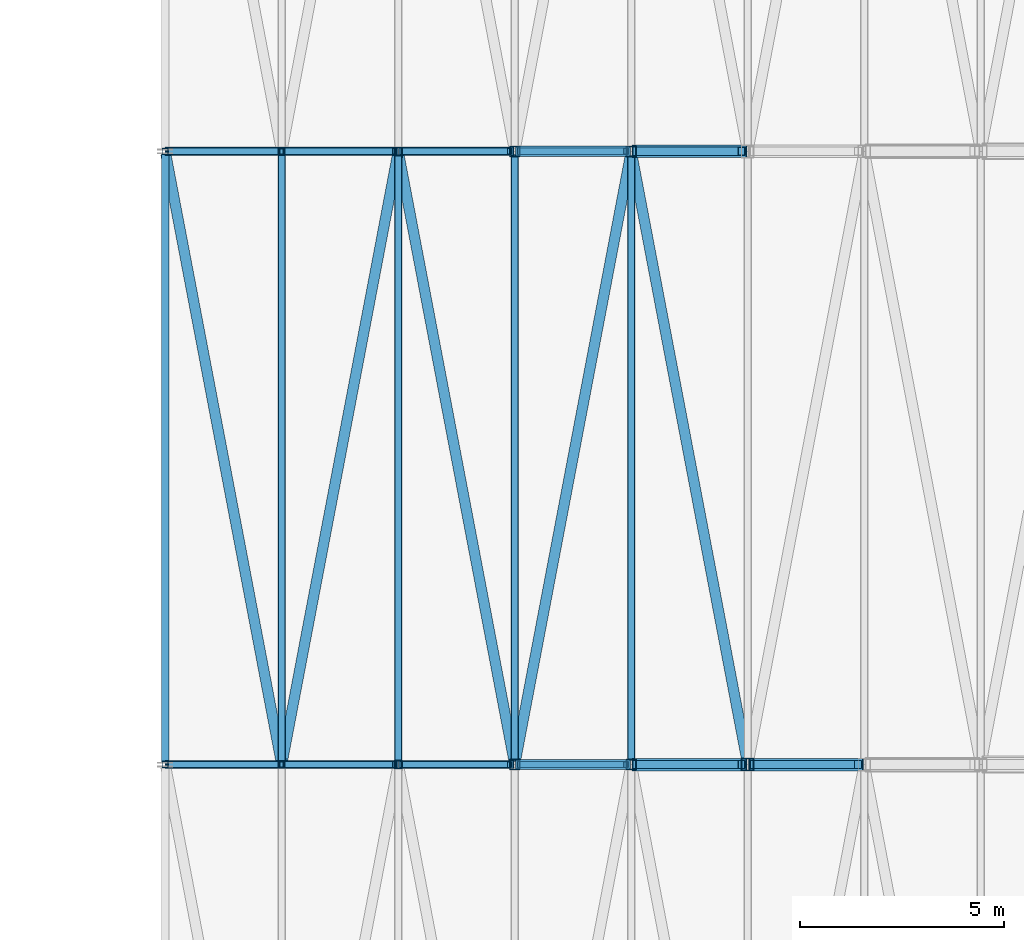
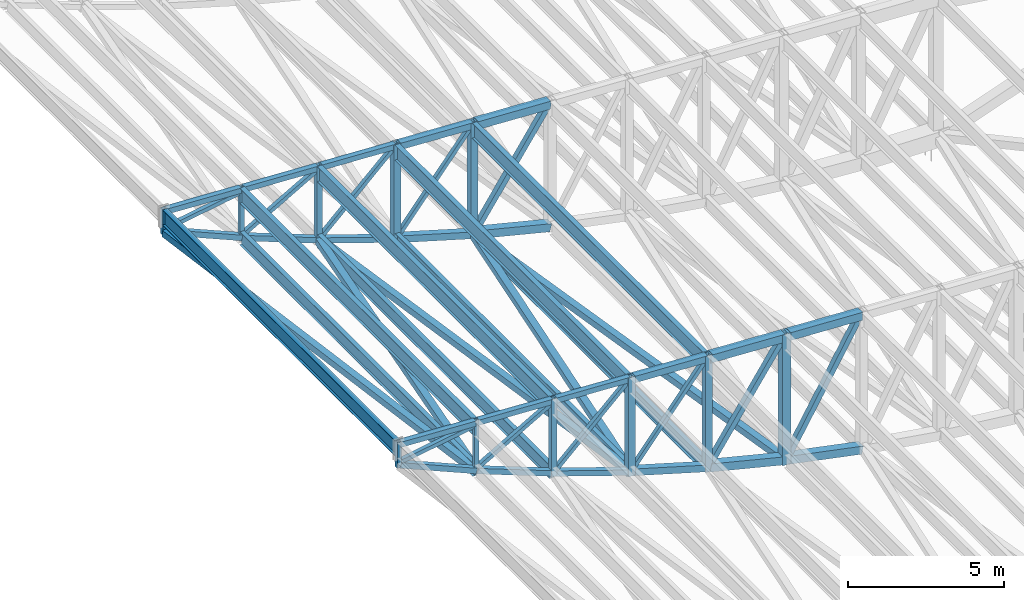
# One storey, part 57 of 278: 33 beams, 25 members.
"""IFC4 building model written with IfcOpenShell, lengths in metres."""

from ifc_helpers import new_model, si_unit, direction, frame, origin, origin_2d, place, context, subcontext, project, spatial, hollow_rectangle, i_section, extrude, material, material_profile, profile_set, type_object, element, save


model = new_model("IFC4")

# Units and contexts
model_context = context("Model", 3, precision=1e-05, world=origin(), true_north=direction((0.0, 1.0)))
body_context = subcontext(model_context, "Body", "Model", "MODEL_VIEW")
ifc_project = project(units=[si_unit("LENGTHUNIT", "METRE"), si_unit("AREAUNIT", "SQUARE_METRE"), si_unit("VOLUMEUNIT", "CUBIC_METRE"), si_unit("PLANEANGLEUNIT", "RADIAN"), si_unit("MASSUNIT", "GRAM", prefix="KILO")], contexts=[model_context])

# Site, building, storey
site_placement = place(None, origin())
site = spatial("IfcSite", under=ifc_project, at=site_placement, CompositionType="ELEMENT")
building_placement = place(site_placement, origin())
building = spatial("IfcBuilding", under=site, at=building_placement, Name="Ogive Plaza Stadium", CompositionType="ELEMENT")
storey_placement = place(building_placement, frame((0.0, 0.0, 29.0)))
storey = spatial("IfcBuildingStorey", under=building, at=storey_placement, Name="Roof", CompositionType="ELEMENT", Elevation=29.0)

# Members
ifc_material_1 = material(Name="Steel ASTM A500 Grade C", Category="steel")
ifc_material_profile_1 = material_profile(ifc_material_1, hollow_rectangle(XDim=0.25390625, YDim=0.25390625, WallThickness=0.0087890625, at=origin_2d()), Name="HSS10X10X3/8")
ifc_profile_set_1 = profile_set([ifc_material_profile_1], Name="Steel ASTM A500 Grade C")
member_type_1 = type_object("IfcMemberType", Name="Roof plan brace HSS10X10X3/8", PredefinedType="BRACE", material=ifc_profile_set_1)
member_1_placement = place(storey_placement, frame((45.513427734375, 7.4296875, 6.520751953125), z_axis=(0.1860644689, -0.979300227871, -0.079693645318), x_axis=(0.982424925297, 0.186658153196, 0.0)))
element("IfcMember", 1, at=member_1_placement, inside=storey, type_object=member_type_1, Name="ROOF BRACE B04 1", PredefinedType="BRACE", context=body_context, shape_type="SweptSolid", body=[
    extrude(hollow_rectangle(XDim=0.25390625, YDim=0.25390625, WallThickness=0.0087890625, at=origin_2d()), origin(), (0.0, 0.0, 1.0), 15.173583984375),
])
member_2_placement = place(storey_placement, frame((48.36328125, -7.4296875, 5.30078125), z_axis=(0.18619699352, 0.979917118172, -0.071366106221), x_axis=(-0.982422109195, 0.186672974385, 0.0)))
element("IfcMember", 2, at=member_2_placement, inside=storey, type_object=member_type_1, Name="ROOF BRACE B04 2", PredefinedType="BRACE", context=body_context, shape_type="SweptSolid", body=[
    extrude(hollow_rectangle(XDim=0.25390625, YDim=0.25390625, WallThickness=0.0087890625, at=origin_2d()), origin(), (0.0, 0.0, 1.0), 15.1376953125),
])
member_3_placement = place(storey_placement, frame((51.21826171875, 7.404052734375, 4.20751953125), z_axis=(0.186305134019, -0.980575459807, -0.061336487198), x_axis=(0.982425223956, 0.186656581279, 0.0)))
element("IfcMember", 3, at=member_3_placement, inside=storey, type_object=member_type_1, Name="ROOF BRACE B04 3", PredefinedType="BRACE", context=body_context, shape_type="SweptSolid", body=[
    extrude(hollow_rectangle(XDim=0.25390625, YDim=0.25390625, WallThickness=0.0087890625, at=origin_2d()), origin(), (0.0, 0.0, 1.0), 15.1015625),
])
member_4_placement = place(storey_placement, frame((54.068115234375, -7.404052734375, 3.27001953125), z_axis=(0.186406461707, 0.981044003163, -0.052965034622), x_axis=(-0.982422964001, 0.186668475654, 0.0)))
element("IfcMember", 4, at=member_4_placement, inside=storey, type_object=member_type_1, Name="ROOF BRACE B04 4", PredefinedType="BRACE", context=body_context, shape_type="SweptSolid", body=[
    extrude(hollow_rectangle(XDim=0.25390625, YDim=0.25390625, WallThickness=0.0087890625, at=origin_2d()), origin(), (0.0, 0.0, 1.0), 15.068359375),
])
member_5_placement = place(storey_placement, frame((56.923095703125, 7.378662109375, 2.459716796875), z_axis=(0.186461324063, -0.981373677857, -0.046237204039), x_axis=(0.982424391989, 0.186660960097, 0.0)))
element("IfcMember", 5, at=member_5_placement, inside=storey, type_object=member_type_1, Name="ROOF BRACE B04 5", PredefinedType="BRACE", context=body_context, shape_type="SweptSolid", body=[
    extrude(hollow_rectangle(XDim=0.25390625, YDim=0.25390625, WallThickness=0.0087890625, at=origin_2d()), origin(), (0.0, 0.0, 1.0), 15.011474609375),
])
ifc_material_2 = material(Name="Steel ASTM A992 Grade 50", Category="steel")
ifc_material_profile_2 = material_profile(ifc_material_2, i_section(OverallWidth=0.1650390625, OverallDepth=0.524658203125, WebThickness=0.0087890625, FlangeThickness=0.011474609375, at=origin_2d()), Name="W21X44")
ifc_profile_set_2 = profile_set([ifc_material_profile_2], Name="Steel ASTM A992 Grade 50")
member_type_2 = type_object("IfcMemberType", Name="Roof plan strut W21X44", PredefinedType="STRUT", material=ifc_profile_set_2)
member_6_placement = place(storey_placement, frame((48.35009765625, 7.453857421875, 5.305908203125), z_axis=(0.0, -1.0, 0.0), x_axis=(1.0, 0.0, 0.0)))
element("IfcMember", 6, at=member_6_placement, inside=storey, type_object=member_type_2, Name="ROOF STRUT B04 1", PredefinedType="STRUT", context=body_context, shape_type="SweptSolid", body=[
    extrude(i_section(OverallWidth=0.1650390625, OverallDepth=0.524658203125, WebThickness=0.0087890625, FlangeThickness=0.011474609375, at=origin_2d()), origin(), (0.0, 0.0, 1.0), 14.90771484375),
])
for number, where, z_axis, x_axis, name in (
    (7, (51.199951171875, 7.428466796875, 4.213623046875), (0.0, -1.0, 0.0), (1.0, 0.0, 0.0), "ROOF STRUT B04 2"),
    (8, (54.050048828125, 7.428466796875, 3.275146484375), (0.0, -1.0, 0.0), (1.0, 0.0, 0.0), "ROOF STRUT B04 3"),
):
    element("IfcMember", number, at=place(storey_placement, frame(where, z_axis=z_axis, x_axis=x_axis)), inside=storey, type_object=member_type_2, Name=name, PredefinedType="STRUT", context=body_context, shape_type="SweptSolid", body=[
        extrude(i_section(OverallWidth=0.1650390625, OverallDepth=0.524658203125, WebThickness=0.0087890625, FlangeThickness=0.011474609375, at=origin_2d()), origin(), (0.0, 0.0, 1.0), 14.85693359375),
    ])
member_7_placement = place(storey_placement, frame((56.89990234375, 7.403076171875, 2.46533203125), z_axis=(0.0, -1.0, 0.0), x_axis=(1.0, 0.0, 0.0)))
element("IfcMember", 9, at=member_7_placement, inside=storey, type_object=member_type_2, Name="ROOF STRUT B04 4", PredefinedType="STRUT", context=body_context, shape_type="SweptSolid", body=[
    extrude(i_section(OverallWidth=0.1650390625, OverallDepth=0.524658203125, WebThickness=0.0087890625, FlangeThickness=0.011474609375, at=origin_2d()), origin(), (0.0, 0.0, 1.0), 14.80615234375),
])
ifc_material_3 = material(Name="Steel ASTM A992 Grade 50", Category="steel")
ifc_material_profile_3 = material_profile(ifc_material_3, i_section(OverallWidth=0.177978515625, OverallDepth=0.5986328125, WebThickness=0.010009765625, FlangeThickness=0.012939453125, at=origin_2d()), Name="W24X55")
ifc_profile_set_3 = profile_set([ifc_material_profile_3], Name="Steel ASTM A992 Grade 50")
member_type_3 = type_object("IfcMemberType", Name="Roof purlin W24X55", PredefinedType="PURLIN", material=ifc_profile_set_3)
member_8_placement = place(storey_placement, frame((48.35009765625, 7.453857421875, 6.983154296875), z_axis=(0.0, -1.0, 0.0), x_axis=(1.0, 0.0, 0.0)))
element("IfcMember", 10, at=member_8_placement, inside=storey, type_object=member_type_3, Name="ROOF PURLIN B04 1", PredefinedType="PURLIN", context=body_context, shape_type="SweptSolid", body=[
    extrude(i_section(OverallWidth=0.177978515625, OverallDepth=0.5986328125, WebThickness=0.010009765625, FlangeThickness=0.012939453125, at=origin_2d()), origin(), (0.0, 0.0, 1.0), 14.90771484375),
])
for number, where, z_axis, x_axis, name in (
    (11, (51.199951171875, 7.428466796875, 6.840576171875), (0.0, -1.0, 0.0), (1.0, 0.0, 0.0), "ROOF PURLIN B04 2"),
    (12, (54.050048828125, 7.428466796875, 6.6982421875), (0.0, -1.0, 0.0), (1.0, 0.0, 0.0), "ROOF PURLIN B04 3"),
):
    element("IfcMember", number, at=place(storey_placement, frame(where, z_axis=z_axis, x_axis=x_axis)), inside=storey, type_object=member_type_3, Name=name, PredefinedType="PURLIN", context=body_context, shape_type="SweptSolid", body=[
        extrude(i_section(OverallWidth=0.177978515625, OverallDepth=0.5986328125, WebThickness=0.010009765625, FlangeThickness=0.012939453125, at=origin_2d()), origin(), (0.0, 0.0, 1.0), 14.85693359375),
    ])
member_9_placement = place(storey_placement, frame((56.89990234375, 7.403076171875, 6.5556640625), z_axis=(0.0, -1.0, 0.0), x_axis=(1.0, 0.0, 0.0)))
element("IfcMember", 13, at=member_9_placement, inside=storey, type_object=member_type_3, Name="ROOF PURLIN B04 4", PredefinedType="PURLIN", context=body_context, shape_type="SweptSolid", body=[
    extrude(i_section(OverallWidth=0.177978515625, OverallDepth=0.5986328125, WebThickness=0.010009765625, FlangeThickness=0.012939453125, at=origin_2d()), origin(), (0.0, 0.0, 1.0), 14.80615234375),
])
ifc_material_4 = material(Name="Steel ASTM A992 Grade 50", Category="steel")
ifc_material_profile_4 = material_profile(ifc_material_4, i_section(OverallWidth=0.177978515625, OverallDepth=0.5986328125, WebThickness=0.010009765625, FlangeThickness=0.012939453125, at=origin_2d()), Name="W24X55")
ifc_profile_set_4 = profile_set([ifc_material_profile_4], Name="Steel ASTM A992 Grade 50")
member_type_4 = type_object("IfcMemberType", Name="Roof tip ring beam W24X55", PredefinedType="MEMBER", material=ifc_profile_set_4)
member_10_placement = place(storey_placement, frame((45.5, 7.453857421875, 7.125732421875), z_axis=(0.0, -1.0, 0.0), x_axis=(1.0, 0.0, 0.0)))
element("IfcMember", 14, at=member_10_placement, inside=storey, type_object=member_type_4, Name="RING BEAM B04", PredefinedType="MEMBER", context=body_context, shape_type="SweptSolid", body=[
    extrude(i_section(OverallWidth=0.177978515625, OverallDepth=0.5986328125, WebThickness=0.010009765625, FlangeThickness=0.012939453125, at=origin_2d()), origin(), (0.0, 0.0, 1.0), 14.90771484375),
])

# Beams
ifc_material_5 = material(Name="Steel ASTM A500 Grade C", Category="steel")
ifc_material_profile_5 = material_profile(ifc_material_5, hollow_rectangle(XDim=0.25390625, YDim=0.25390625, WallThickness=0.01171875, at=origin_2d()), Name="HSS10X10X1/2")
ifc_profile_set_5 = profile_set([ifc_material_profile_5], Name="Steel ASTM A500 Grade C")
beam_type_1 = type_object("IfcBeamType", Name="Roof truss bottom chord HSS10X10X1/2", PredefinedType="BEAM", material=ifc_profile_set_5)
for number, where, z_axis, x_axis, name in (
    (15, (54.10009765625, 7.5, 3.265869140625), (0.959640437259, 0.0, -0.281229854705), (0.0, 1.0, 0.0), "ROOF TRUSS T04 BOTTOM CHORD 4"),
    (16, (54.10009765625, -7.5, 3.265869140625), (0.959640437259, 0.0, -0.281229854705), (0.0, 1.0, 0.0), "ROOF TRUSS T05 BOTTOM CHORD 4"),
):
    element("IfcBeam", number, at=place(storey_placement, frame(where, z_axis=z_axis, x_axis=x_axis)), inside=storey, type_object=beam_type_1, Name=name, PredefinedType="BEAM", context=body_context, shape_type="SweptSolid", body=[
        extrude(hollow_rectangle(XDim=0.25390625, YDim=0.25390625, WallThickness=0.01171875, at=origin_2d()), origin(), (0.0, 0.0, 1.0), 2.86572265625),
    ])
ifc_material_6 = material(Name="Steel ASTM A500 Grade C", Category="steel")
ifc_material_profile_6 = material_profile(ifc_material_6, hollow_rectangle(XDim=0.3046875, YDim=0.3046875, WallThickness=0.0146484375, at=origin_2d()), Name="HSS12X12X5/8")
ifc_profile_set_6 = profile_set([ifc_material_profile_6], Name="Steel ASTM A500 Grade C")
beam_type_2 = type_object("IfcBeamType", Name="Roof truss bottom chord HSS12X12X5/8", PredefinedType="BEAM", material=ifc_profile_set_6)
for number, where, z_axis, x_axis, name in (
    (17, (56.949951171875, 7.5, 2.45751953125), (0.970607032995, 0.0, -0.240669872439), (0.0, 1.0, 0.0), "ROOF TRUSS T04 BOTTOM CHORD 5"),
    (18, (56.949951171875, -7.5, 2.45751953125), (0.970607032995, 0.0, -0.240669872439), (0.0, 1.0, 0.0), "ROOF TRUSS T05 BOTTOM CHORD 5"),
):
    element("IfcBeam", number, at=place(storey_placement, frame(where, z_axis=z_axis, x_axis=x_axis)), inside=storey, type_object=beam_type_2, Name=name, PredefinedType="BEAM", context=body_context, shape_type="SweptSolid", body=[
        extrude(hollow_rectangle(XDim=0.3046875, YDim=0.3046875, WallThickness=0.0146484375, at=origin_2d()), origin(), (0.0, 0.0, 1.0), 2.833251953125),
    ])
beam_1_placement = place(storey_placement, frame((59.800048828125, -7.5, 1.751708984375), z_axis=(0.980021250437, 0.0, -0.19889280704), x_axis=(0.0, 1.0, 0.0)))
element("IfcBeam", 19, at=beam_1_placement, inside=storey, type_object=beam_type_2, Name="ROOF TRUSS T05 BOTTOM CHORD 6", PredefinedType="BEAM", context=body_context, shape_type="SweptSolid", body=[
    extrude(hollow_rectangle(XDim=0.3046875, YDim=0.3046875, WallThickness=0.0146484375, at=origin_2d()), origin(), (0.0, 0.0, 1.0), 2.80615234375),
])
ifc_material_7 = material(Name="Steel ASTM A500 Grade C", Category="steel")
ifc_material_profile_7 = material_profile(ifc_material_7, hollow_rectangle(XDim=0.203125, YDim=0.203125, WallThickness=0.01171875, at=origin_2d()), Name="HSS8X8X1/2")
ifc_profile_set_7 = profile_set([ifc_material_profile_7], Name="Steel ASTM A500 Grade C")
beam_type_3 = type_object("IfcBeamType", Name="Roof truss bottom chord HSS8X8X1/2", PredefinedType="BEAM", material=ifc_profile_set_7)
beam_2_placement = place(storey_placement, frame((45.5400390625, 7.5, 6.518310546875), z_axis=(0.919215459426, 0.0, -0.393754922702), x_axis=(0.0, 1.0, 0.0)))
element("IfcBeam", 20, at=beam_2_placement, inside=storey, type_object=beam_type_3, Name="ROOF TRUSS T04 BOTTOM CHORD 1", PredefinedType="BEAM", context=body_context, shape_type="SweptSolid", body=[
    extrude(hollow_rectangle(XDim=0.203125, YDim=0.203125, WallThickness=0.01171875, at=origin_2d()), origin(), (0.0, 0.0, 1.0), 3.04736328125),
])
beam_3_placement = place(storey_placement, frame((48.386474609375, 7.5, 5.299072265625), z_axis=(0.933780874892, 0.0, -0.357845326484), x_axis=(0.0, 1.0, 0.0)))
element("IfcBeam", 21, at=beam_3_placement, inside=storey, type_object=beam_type_3, Name="ROOF TRUSS T04 BOTTOM CHORD 2", PredefinedType="BEAM", context=body_context, shape_type="SweptSolid", body=[
    extrude(hollow_rectangle(XDim=0.203125, YDim=0.203125, WallThickness=0.01171875, at=origin_2d()), origin(), (0.0, 0.0, 1.0), 2.97314453125),
])
beam_4_placement = place(storey_placement, frame((51.24072265625, 7.5, 4.20556640625), z_axis=(0.947299736415, 0.0, -0.320348574817), x_axis=(0.0, 1.0, 0.0)))
element("IfcBeam", 22, at=beam_4_placement, inside=storey, type_object=beam_type_3, Name="ROOF TRUSS T04 BOTTOM CHORD 3", PredefinedType="BEAM", context=body_context, shape_type="SweptSolid", body=[
    extrude(hollow_rectangle(XDim=0.203125, YDim=0.203125, WallThickness=0.01171875, at=origin_2d()), origin(), (0.0, 0.0, 1.0), 2.912841796875),
])
beam_5_placement = place(storey_placement, frame((45.5400390625, -7.5, 6.518310546875), z_axis=(0.919215459426, 0.0, -0.393754922702), x_axis=(0.0, 1.0, 0.0)))
element("IfcBeam", 23, at=beam_5_placement, inside=storey, type_object=beam_type_3, Name="ROOF TRUSS T05 BOTTOM CHORD 1", PredefinedType="BEAM", context=body_context, shape_type="SweptSolid", body=[
    extrude(hollow_rectangle(XDim=0.203125, YDim=0.203125, WallThickness=0.01171875, at=origin_2d()), origin(), (0.0, 0.0, 1.0), 3.04736328125),
])
beam_6_placement = place(storey_placement, frame((48.386474609375, -7.5, 5.299072265625), z_axis=(0.933780874892, 0.0, -0.357845326484), x_axis=(0.0, 1.0, 0.0)))
element("IfcBeam", 24, at=beam_6_placement, inside=storey, type_object=beam_type_3, Name="ROOF TRUSS T05 BOTTOM CHORD 2", PredefinedType="BEAM", context=body_context, shape_type="SweptSolid", body=[
    extrude(hollow_rectangle(XDim=0.203125, YDim=0.203125, WallThickness=0.01171875, at=origin_2d()), origin(), (0.0, 0.0, 1.0), 2.97314453125),
])
beam_7_placement = place(storey_placement, frame((51.24072265625, -7.5, 4.20556640625), z_axis=(0.947299736415, 0.0, -0.320348574817), x_axis=(0.0, 1.0, 0.0)))
element("IfcBeam", 25, at=beam_7_placement, inside=storey, type_object=beam_type_3, Name="ROOF TRUSS T05 BOTTOM CHORD 3", PredefinedType="BEAM", context=body_context, shape_type="SweptSolid", body=[
    extrude(hollow_rectangle(XDim=0.203125, YDim=0.203125, WallThickness=0.01171875, at=origin_2d()), origin(), (0.0, 0.0, 1.0), 2.912841796875),
])

# Members
ifc_material_8 = material(Name="Steel ASTM A500 Grade C", Category="steel")
ifc_material_profile_8 = material_profile(ifc_material_8, hollow_rectangle(XDim=0.15234375, YDim=0.15234375, WallThickness=0.005859375, at=origin_2d()), Name="HSS6X6X1/4")
ifc_profile_set_8 = profile_set([ifc_material_profile_8], Name="Steel ASTM A500 Grade C")
member_type_5 = type_object("IfcMemberType", Name="Roof truss diagonal HSS6X6X1/4", PredefinedType="BRACE", material=ifc_profile_set_8)
member_11_placement = place(storey_placement, frame((45.576171875, 7.5, 6.628173828125), z_axis=(0.986299671123, 0.0, 0.164963507307), x_axis=(0.0, 1.0, 0.0)))
element("IfcMember", 26, at=member_11_placement, inside=storey, type_object=member_type_5, Name="ROOF TRUSS T04 DIAGONAL 1", PredefinedType="BRACE", context=body_context, shape_type="SweptSolid", body=[
    extrude(hollow_rectangle(XDim=0.15234375, YDim=0.15234375, WallThickness=0.005859375, at=origin_2d()), origin(), (0.0, 0.0, 1.0), 2.73486328125),
])
member_12_placement = place(storey_placement, frame((48.42626953125, 7.5, 5.407470703125), z_axis=(0.8679111184, 0.0, 0.496719529069), x_axis=(0.0, 1.0, 0.0)))
element("IfcMember", 27, at=member_12_placement, inside=storey, type_object=member_type_5, Name="ROOF TRUSS T04 DIAGONAL 2", PredefinedType="BRACE", context=body_context, shape_type="SweptSolid", body=[
    extrude(hollow_rectangle(XDim=0.15234375, YDim=0.15234375, WallThickness=0.005859375, at=origin_2d()), origin(), (0.0, 0.0, 1.0), 3.078857421875),
])
member_13_placement = place(storey_placement, frame((45.576171875, -7.5, 6.628173828125), z_axis=(0.986299671123, 0.0, 0.164963507307), x_axis=(0.0, 1.0, 0.0)))
element("IfcMember", 28, at=member_13_placement, inside=storey, type_object=member_type_5, Name="ROOF TRUSS T05 DIAGONAL 1", PredefinedType="BRACE", context=body_context, shape_type="SweptSolid", body=[
    extrude(hollow_rectangle(XDim=0.15234375, YDim=0.15234375, WallThickness=0.005859375, at=origin_2d()), origin(), (0.0, 0.0, 1.0), 2.73486328125),
])
member_14_placement = place(storey_placement, frame((48.42626953125, -7.5, 5.407470703125), z_axis=(0.8679111184, 0.0, 0.496719529069), x_axis=(0.0, 1.0, 0.0)))
element("IfcMember", 29, at=member_14_placement, inside=storey, type_object=member_type_5, Name="ROOF TRUSS T05 DIAGONAL 2", PredefinedType="BRACE", context=body_context, shape_type="SweptSolid", body=[
    extrude(hollow_rectangle(XDim=0.15234375, YDim=0.15234375, WallThickness=0.005859375, at=origin_2d()), origin(), (0.0, 0.0, 1.0), 3.078857421875),
])
ifc_material_9 = material(Name="Steel ASTM A500 Grade C", Category="steel")
ifc_material_profile_9 = material_profile(ifc_material_9, hollow_rectangle(XDim=0.15234375, YDim=0.15234375, WallThickness=0.0087890625, at=origin_2d()), Name="HSS6X6X3/8")
ifc_profile_set_9 = profile_set([ifc_material_profile_9], Name="Steel ASTM A500 Grade C")
member_type_6 = type_object("IfcMemberType", Name="Roof truss diagonal HSS6X6X3/8", PredefinedType="BRACE", material=ifc_profile_set_9)
member_15_placement = place(storey_placement, frame((51.301513671875, 7.5, 4.315185546875), z_axis=(0.726588919749, 0.0, 0.687072442832), x_axis=(0.0, 1.0, 0.0)))
element("IfcMember", 30, at=member_15_placement, inside=storey, type_object=member_type_6, Name="ROOF TRUSS T04 DIAGONAL 3", PredefinedType="BRACE", context=body_context, shape_type="SweptSolid", body=[
    extrude(hollow_rectangle(XDim=0.15234375, YDim=0.15234375, WallThickness=0.0087890625, at=origin_2d()), origin(), (0.0, 0.0, 1.0), 3.608154296875),
])
member_16_placement = place(storey_placement, frame((54.177001953125, 7.5, 3.40234375), z_axis=(0.630150764463, 0.0, 0.77647280316), x_axis=(0.0, 1.0, 0.0)))
element("IfcMember", 31, at=member_16_placement, inside=storey, type_object=member_type_6, Name="ROOF TRUSS T04 DIAGONAL 4", PredefinedType="BRACE", context=body_context, shape_type="SweptSolid", body=[
    extrude(hollow_rectangle(XDim=0.15234375, YDim=0.15234375, WallThickness=0.0087890625, at=origin_2d()), origin(), (0.0, 0.0, 1.0), 4.11962890625),
])
member_17_placement = place(storey_placement, frame((51.301513671875, -7.5, 4.315185546875), z_axis=(0.726588919749, 0.0, 0.687072442832), x_axis=(0.0, 1.0, 0.0)))
element("IfcMember", 32, at=member_17_placement, inside=storey, type_object=member_type_6, Name="ROOF TRUSS T05 DIAGONAL 3", PredefinedType="BRACE", context=body_context, shape_type="SweptSolid", body=[
    extrude(hollow_rectangle(XDim=0.15234375, YDim=0.15234375, WallThickness=0.0087890625, at=origin_2d()), origin(), (0.0, 0.0, 1.0), 3.608154296875),
])
member_18_placement = place(storey_placement, frame((54.177001953125, -7.5, 3.40234375), z_axis=(0.630150764463, 0.0, 0.77647280316), x_axis=(0.0, 1.0, 0.0)))
element("IfcMember", 33, at=member_18_placement, inside=storey, type_object=member_type_6, Name="ROOF TRUSS T05 DIAGONAL 4", PredefinedType="BRACE", context=body_context, shape_type="SweptSolid", body=[
    extrude(hollow_rectangle(XDim=0.15234375, YDim=0.15234375, WallThickness=0.0087890625, at=origin_2d()), origin(), (0.0, 0.0, 1.0), 4.11962890625),
])
ifc_material_10 = material(Name="Steel ASTM A500 Grade C", Category="steel")
ifc_material_profile_10 = material_profile(ifc_material_10, hollow_rectangle(XDim=0.203125, YDim=0.203125, WallThickness=0.0087890625, at=origin_2d()), Name="HSS8X8X3/8")
ifc_profile_set_10 = profile_set([ifc_material_profile_10], Name="Steel ASTM A500 Grade C")
member_type_7 = type_object("IfcMemberType", Name="Roof truss diagonal HSS8X8X3/8", PredefinedType="BRACE", material=ifc_profile_set_10)
for number, where, z_axis, x_axis, name in (
    (34, (57.027099609375, 7.5, 2.617919921875), (0.561338440243, 0.0, 0.827586343233), (0.0, 1.0, 0.0), "ROOF TRUSS T04 DIAGONAL 5"),
    (35, (57.027099609375, -7.5, 2.617919921875), (0.561338440243, 0.0, 0.827586343233), (0.0, 1.0, 0.0), "ROOF TRUSS T05 DIAGONAL 5"),
):
    element("IfcMember", number, at=place(storey_placement, frame(where, z_axis=z_axis, x_axis=x_axis)), inside=storey, type_object=member_type_7, Name=name, PredefinedType="BRACE", context=body_context, shape_type="SweptSolid", body=[
        extrude(hollow_rectangle(XDim=0.203125, YDim=0.203125, WallThickness=0.0087890625, at=origin_2d()), origin(), (0.0, 0.0, 1.0), 4.579345703125),
    ])
member_19_placement = place(storey_placement, frame((59.90234375, -7.5, 1.9111328125), z_axis=(0.504659398762, 0.0, 0.863318534054), x_axis=(0.0, 1.0, 0.0)))
element("IfcMember", 36, at=member_19_placement, inside=storey, type_object=member_type_7, Name="ROOF TRUSS T05 DIAGONAL 6", PredefinedType="BRACE", context=body_context, shape_type="SweptSolid", body=[
    extrude(hollow_rectangle(XDim=0.203125, YDim=0.203125, WallThickness=0.0087890625, at=origin_2d()), origin(), (0.0, 0.0, 1.0), 5.043212890625),
])

# Beams
ifc_material_11 = material(Name="Steel ASTM A500 Grade C", Category="steel")
ifc_material_profile_11 = material_profile(ifc_material_11, hollow_rectangle(XDim=0.25390625, YDim=0.25390625, WallThickness=0.01171875, at=origin_2d()), Name="HSS10X10X1/2")
ifc_profile_set_11 = profile_set([ifc_material_profile_11], Name="Steel ASTM A500 Grade C")
beam_type_4 = type_object("IfcBeamType", Name="Roof truss post HSS10X10X1/2", PredefinedType="BEAM", material=ifc_profile_set_11)
beam_8_placement = place(storey_placement, frame((54.050048828125, 7.5, 3.148193359375), z_axis=(0.0, 0.0, 1.0), x_axis=(0.0, 1.0, 0.0)))
element("IfcBeam", 37, at=beam_8_placement, inside=storey, type_object=beam_type_4, Name="ROOF TRUSS T04 POST 4", PredefinedType="BEAM", context=body_context, shape_type="SweptSolid", body=[
    extrude(hollow_rectangle(XDim=0.25390625, YDim=0.25390625, WallThickness=0.01171875, at=origin_2d()), origin(), (0.0, 0.0, 1.0), 3.849365234375),
])
beam_9_placement = place(storey_placement, frame((56.89990234375, 7.5, 2.31298828125), z_axis=(0.0, 0.0, 1.0), x_axis=(0.0, 1.0, 0.0)))
element("IfcBeam", 38, at=beam_9_placement, inside=storey, type_object=beam_type_4, Name="ROOF TRUSS T04 POST 5", PredefinedType="BEAM", context=body_context, shape_type="SweptSolid", body=[
    extrude(hollow_rectangle(XDim=0.25390625, YDim=0.25390625, WallThickness=0.01171875, at=origin_2d()), origin(), (0.0, 0.0, 1.0), 4.5419921875),
])
beam_10_placement = place(storey_placement, frame((54.050048828125, -7.5, 3.148193359375), z_axis=(0.0, 0.0, 1.0), x_axis=(0.0, 1.0, 0.0)))
element("IfcBeam", 39, at=beam_10_placement, inside=storey, type_object=beam_type_4, Name="ROOF TRUSS T05 POST 4", PredefinedType="BEAM", context=body_context, shape_type="SweptSolid", body=[
    extrude(hollow_rectangle(XDim=0.25390625, YDim=0.25390625, WallThickness=0.01171875, at=origin_2d()), origin(), (0.0, 0.0, 1.0), 3.849365234375),
])
beam_11_placement = place(storey_placement, frame((56.89990234375, -7.5, 2.31298828125), z_axis=(0.0, 0.0, 1.0), x_axis=(0.0, 1.0, 0.0)))
element("IfcBeam", 40, at=beam_11_placement, inside=storey, type_object=beam_type_4, Name="ROOF TRUSS T05 POST 5", PredefinedType="BEAM", context=body_context, shape_type="SweptSolid", body=[
    extrude(hollow_rectangle(XDim=0.25390625, YDim=0.25390625, WallThickness=0.01171875, at=origin_2d()), origin(), (0.0, 0.0, 1.0), 4.5419921875),
])
ifc_material_12 = material(Name="Steel ASTM A500 Grade C", Category="steel")
ifc_material_profile_12 = material_profile(ifc_material_12, hollow_rectangle(XDim=0.3046875, YDim=0.3046875, WallThickness=0.01171875, at=origin_2d()), Name="HSS12X12X1/2")
ifc_profile_set_12 = profile_set([ifc_material_profile_12], Name="Steel ASTM A500 Grade C")
beam_type_5 = type_object("IfcBeamType", Name="Roof truss post HSS12X12X1/2", PredefinedType="BEAM", material=ifc_profile_set_12)
beam_12_placement = place(storey_placement, frame((59.75, -7.5, 1.606201171875), z_axis=(0.0, 0.0, 1.0), x_axis=(0.0, 1.0, 0.0)))
element("IfcBeam", 41, at=beam_12_placement, inside=storey, type_object=beam_type_5, Name="ROOF TRUSS T05 POST 6", PredefinedType="BEAM", context=body_context, shape_type="SweptSolid", body=[
    extrude(hollow_rectangle(XDim=0.3046875, YDim=0.3046875, WallThickness=0.01171875, at=origin_2d()), origin(), (0.0, 0.0, 1.0), 5.106201171875),
])
ifc_material_13 = material(Name="Steel ASTM A500 Grade C", Category="steel")
ifc_material_profile_13 = material_profile(ifc_material_13, hollow_rectangle(XDim=0.15234375, YDim=0.15234375, WallThickness=0.0087890625, at=origin_2d()), Name="HSS6X6X3/8")
ifc_profile_set_13 = profile_set([ifc_material_profile_13], Name="Steel ASTM A500 Grade C")
beam_type_6 = type_object("IfcBeamType", Name="Roof truss post HSS6X6X3/8", PredefinedType="BEAM", material=ifc_profile_set_13)
beam_13_placement = place(storey_placement, frame((45.5, 7.5, 6.425048828125), z_axis=(0.0, 0.0, 1.0), x_axis=(0.0, 1.0, 0.0)))
element("IfcBeam", 42, at=beam_13_placement, inside=storey, type_object=beam_type_6, Name="ROOF TRUSS T04 POST 1", PredefinedType="BEAM", context=body_context, shape_type="SweptSolid", body=[
    extrude(hollow_rectangle(XDim=0.15234375, YDim=0.15234375, WallThickness=0.0087890625, at=origin_2d()), origin(), (0.0, 0.0, 1.0), 1.0),
])
beam_14_placement = place(storey_placement, frame((48.35009765625, 7.5, 5.204345703125), z_axis=(0.0, 0.0, 1.0), x_axis=(0.0, 1.0, 0.0)))
element("IfcBeam", 43, at=beam_14_placement, inside=storey, type_object=beam_type_6, Name="ROOF TRUSS T04 POST 2", PredefinedType="BEAM", context=body_context, shape_type="SweptSolid", body=[
    extrude(hollow_rectangle(XDim=0.15234375, YDim=0.15234375, WallThickness=0.0087890625, at=origin_2d()), origin(), (0.0, 0.0, 1.0), 2.078125),
])
beam_15_placement = place(storey_placement, frame((45.5, -7.5, 6.425048828125), z_axis=(0.0, 0.0, 1.0), x_axis=(0.0, 1.0, 0.0)))
element("IfcBeam", 44, at=beam_15_placement, inside=storey, type_object=beam_type_6, Name="ROOF TRUSS T05 POST 1", PredefinedType="BEAM", context=body_context, shape_type="SweptSolid", body=[
    extrude(hollow_rectangle(XDim=0.15234375, YDim=0.15234375, WallThickness=0.0087890625, at=origin_2d()), origin(), (0.0, 0.0, 1.0), 1.0),
])
beam_16_placement = place(storey_placement, frame((48.35009765625, -7.5, 5.204345703125), z_axis=(0.0, 0.0, 1.0), x_axis=(0.0, 1.0, 0.0)))
element("IfcBeam", 45, at=beam_16_placement, inside=storey, type_object=beam_type_6, Name="ROOF TRUSS T05 POST 2", PredefinedType="BEAM", context=body_context, shape_type="SweptSolid", body=[
    extrude(hollow_rectangle(XDim=0.15234375, YDim=0.15234375, WallThickness=0.0087890625, at=origin_2d()), origin(), (0.0, 0.0, 1.0), 2.078125),
])
ifc_material_14 = material(Name="Steel ASTM A500 Grade C", Category="steel")
ifc_material_profile_14 = material_profile(ifc_material_14, hollow_rectangle(XDim=0.203125, YDim=0.203125, WallThickness=0.0087890625, at=origin_2d()), Name="HSS8X8X3/8")
ifc_profile_set_14 = profile_set([ifc_material_profile_14], Name="Steel ASTM A500 Grade C")
beam_type_7 = type_object("IfcBeamType", Name="Roof truss post HSS8X8X3/8", PredefinedType="BEAM", material=ifc_profile_set_14)
for number, where, z_axis, x_axis, name in (
    (46, (51.199951171875, 7.5, 4.112060546875), (0.0, 0.0, 1.0), (0.0, 1.0, 0.0), "ROOF TRUSS T04 POST 3"),
    (47, (51.199951171875, -7.5, 4.112060546875), (0.0, 0.0, 1.0), (0.0, 1.0, 0.0), "ROOF TRUSS T05 POST 3"),
):
    element("IfcBeam", number, at=place(storey_placement, frame(where, z_axis=z_axis, x_axis=x_axis)), inside=storey, type_object=beam_type_7, Name=name, PredefinedType="BEAM", context=body_context, shape_type="SweptSolid", body=[
        extrude(hollow_rectangle(XDim=0.203125, YDim=0.203125, WallThickness=0.0087890625, at=origin_2d()), origin(), (0.0, 0.0, 1.0), 3.02783203125),
    ])
ifc_material_15 = material(Name="Steel ASTM A500 Grade C", Category="steel")
ifc_material_profile_15 = material_profile(ifc_material_15, hollow_rectangle(XDim=0.25390625, YDim=0.25390625, WallThickness=0.0087890625, at=origin_2d()), Name="HSS10X10X3/8")
ifc_profile_set_15 = profile_set([ifc_material_profile_15], Name="Steel ASTM A500 Grade C")
beam_type_8 = type_object("IfcBeamType", Name="Roof truss top chord HSS10X10X3/8", PredefinedType="BEAM", material=ifc_profile_set_15)
for number, where, z_axis, x_axis, name in (
    (48, (54.10009765625, 7.5, 6.867919921875), (0.998748798523, 0.0, -0.05000837379), (0.0, 1.0, 0.0), "ROOF TRUSS T04 TOP CHORD 4"),
    (49, (54.10009765625, -7.5, 6.867919921875), (0.998748798523, 0.0, -0.05000837379), (0.0, 1.0, 0.0), "ROOF TRUSS T05 TOP CHORD 4"),
):
    element("IfcBeam", number, at=place(storey_placement, frame(where, z_axis=z_axis, x_axis=x_axis)), inside=storey, type_object=beam_type_8, Name=name, PredefinedType="BEAM", context=body_context, shape_type="SweptSolid", body=[
        extrude(hollow_rectangle(XDim=0.25390625, YDim=0.25390625, WallThickness=0.0087890625, at=origin_2d()), origin(), (0.0, 0.0, 1.0), 2.75341796875),
    ])
ifc_material_16 = material(Name="Steel ASTM A500 Grade C", Category="steel")
ifc_material_profile_16 = material_profile(ifc_material_16, hollow_rectangle(XDim=0.3046875, YDim=0.3046875, WallThickness=0.0087890625, at=origin_2d()), Name="HSS12X12X3/8")
ifc_profile_set_16 = profile_set([ifc_material_profile_16], Name="Steel ASTM A500 Grade C")
beam_type_9 = type_object("IfcBeamType", Name="Roof truss top chord HSS12X12X3/8", PredefinedType="BEAM", material=ifc_profile_set_16)
for number, where, z_axis, x_axis, name in (
    (50, (56.949951171875, 7.5, 6.699951171875), (0.998753223187, 0.0, -0.049919927615), (0.0, 1.0, 0.0), "ROOF TRUSS T04 TOP CHORD 5"),
    (51, (56.949951171875, -7.5, 6.699951171875), (0.998753223187, 0.0, -0.049919927615), (0.0, 1.0, 0.0), "ROOF TRUSS T05 TOP CHORD 5"),
    (52, (59.800048828125, -7.5, 6.557373046875), (0.998753223187, 0.0, -0.049919927615), (0.0, 1.0, 0.0), "ROOF TRUSS T05 TOP CHORD 6"),
):
    element("IfcBeam", number, at=place(storey_placement, frame(where, z_axis=z_axis, x_axis=x_axis)), inside=storey, type_object=beam_type_9, Name=name, PredefinedType="BEAM", context=body_context, shape_type="SweptSolid", body=[
        extrude(hollow_rectangle(XDim=0.3046875, YDim=0.3046875, WallThickness=0.0087890625, at=origin_2d()), origin(), (0.0, 0.0, 1.0), 2.75341796875),
    ])
ifc_material_17 = material(Name="Steel ASTM A500 Grade C", Category="steel")
ifc_material_profile_17 = material_profile(ifc_material_17, hollow_rectangle(XDim=0.203125, YDim=0.203125, WallThickness=0.0087890625, at=origin_2d()), Name="HSS8X8X3/8")
ifc_profile_set_17 = profile_set([ifc_material_profile_17], Name="Steel ASTM A500 Grade C")
beam_type_10 = type_object("IfcBeamType", Name="Roof truss top chord HSS8X8X3/8", PredefinedType="BEAM", material=ifc_profile_set_17)
beam_17_placement = place(storey_placement, frame((45.541259765625, 7.5, 7.3212890625), z_axis=(0.998751459876, 0.0, -0.049955193873), x_axis=(0.0, 1.0, 0.0)))
element("IfcBeam", 53, at=beam_17_placement, inside=storey, type_object=beam_type_10, Name="ROOF TRUSS T04 TOP CHORD 1", PredefinedType="BEAM", context=body_context, shape_type="SweptSolid", body=[
    extrude(hollow_rectangle(XDim=0.203125, YDim=0.203125, WallThickness=0.0087890625, at=origin_2d()), origin(), (0.0, 0.0, 1.0), 2.77099609375),
])
beam_18_placement = place(storey_placement, frame((48.39111328125, 7.5, 7.1787109375), z_axis=(0.998752338878, 0.0, -0.049937616944), x_axis=(0.0, 1.0, 0.0)))
element("IfcBeam", 54, at=beam_18_placement, inside=storey, type_object=beam_type_10, Name="ROOF TRUSS T04 TOP CHORD 2", PredefinedType="BEAM", context=body_context, shape_type="SweptSolid", body=[
    extrude(hollow_rectangle(XDim=0.203125, YDim=0.203125, WallThickness=0.0087890625, at=origin_2d()), origin(), (0.0, 0.0, 1.0), 2.76220703125),
])
beam_19_placement = place(storey_placement, frame((51.25, 7.5, 7.035888671875), z_axis=(0.998748798523, 0.0, -0.05000837379), x_axis=(0.0, 1.0, 0.0)))
element("IfcBeam", 55, at=beam_19_placement, inside=storey, type_object=beam_type_10, Name="ROOF TRUSS T04 TOP CHORD 3", PredefinedType="BEAM", context=body_context, shape_type="SweptSolid", body=[
    extrude(hollow_rectangle(XDim=0.203125, YDim=0.203125, WallThickness=0.0087890625, at=origin_2d()), origin(), (0.0, 0.0, 1.0), 2.75341796875),
])
beam_20_placement = place(storey_placement, frame((45.541259765625, -7.5, 7.3212890625), z_axis=(0.998751459876, 0.0, -0.049955193873), x_axis=(0.0, 1.0, 0.0)))
element("IfcBeam", 56, at=beam_20_placement, inside=storey, type_object=beam_type_10, Name="ROOF TRUSS T05 TOP CHORD 1", PredefinedType="BEAM", context=body_context, shape_type="SweptSolid", body=[
    extrude(hollow_rectangle(XDim=0.203125, YDim=0.203125, WallThickness=0.0087890625, at=origin_2d()), origin(), (0.0, 0.0, 1.0), 2.77099609375),
])
beam_21_placement = place(storey_placement, frame((48.39111328125, -7.5, 7.1787109375), z_axis=(0.998752338878, 0.0, -0.049937616944), x_axis=(0.0, 1.0, 0.0)))
element("IfcBeam", 57, at=beam_21_placement, inside=storey, type_object=beam_type_10, Name="ROOF TRUSS T05 TOP CHORD 2", PredefinedType="BEAM", context=body_context, shape_type="SweptSolid", body=[
    extrude(hollow_rectangle(XDim=0.203125, YDim=0.203125, WallThickness=0.0087890625, at=origin_2d()), origin(), (0.0, 0.0, 1.0), 2.76220703125),
])
beam_22_placement = place(storey_placement, frame((51.25, -7.5, 7.035888671875), z_axis=(0.998748798523, 0.0, -0.05000837379), x_axis=(0.0, 1.0, 0.0)))
element("IfcBeam", 58, at=beam_22_placement, inside=storey, type_object=beam_type_10, Name="ROOF TRUSS T05 TOP CHORD 3", PredefinedType="BEAM", context=body_context, shape_type="SweptSolid", body=[
    extrude(hollow_rectangle(XDim=0.203125, YDim=0.203125, WallThickness=0.0087890625, at=origin_2d()), origin(), (0.0, 0.0, 1.0), 2.75341796875),
])

save(model, "model.ifc")
